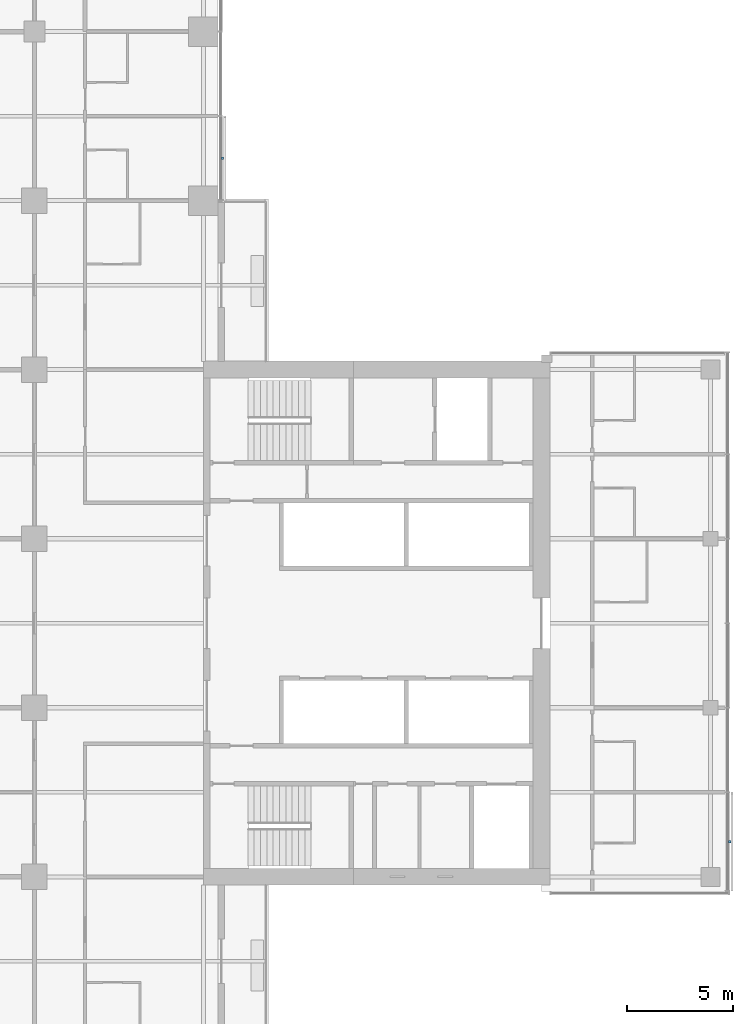
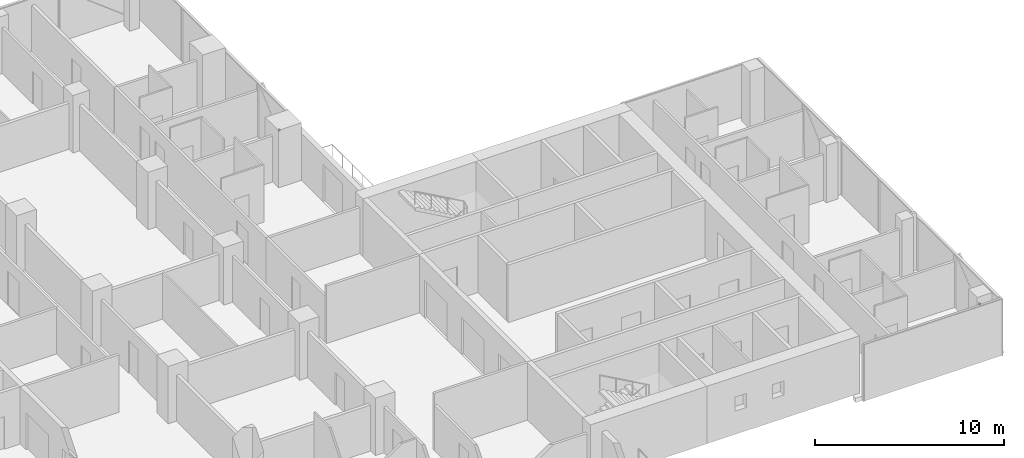
# One storey, part 25 of 27: 2 discrete accessories.
"""IFC4 building model written with IfcOpenShell, lengths in metres."""

from ifc_helpers import new_model, si_unit, direction, frame, origin, origin_2d, place, context, subcontext, project, spatial, rectangle, extrude, material, type_object, element, save


model = new_model("IFC4")

# Units and contexts
model_context = context("Model", 3, precision=1e-05, world=origin(), true_north=direction((0.0, 1.0)))
body_context = subcontext(model_context, "Body", "Model", "MODEL_VIEW")
ifc_project = project(units=[si_unit("LENGTHUNIT", "METRE"), si_unit("AREAUNIT", "SQUARE_METRE"), si_unit("VOLUMEUNIT", "CUBIC_METRE"), si_unit("PLANEANGLEUNIT", "RADIAN"), si_unit("MASSUNIT", "GRAM", prefix="KILO")], contexts=[model_context])

# Site, building, storey
site_placement = place(None, origin())
site = spatial("IfcSite", under=ifc_project, at=site_placement, CompositionType="ELEMENT")
building_placement = place(site_placement, origin())
building = spatial("IfcBuilding", under=site, at=building_placement, Name="Crosswind Convention Tower", CompositionType="ELEMENT")
storey_placement = place(building_placement, frame((0.0, 0.0, 72.0)))
storey = spatial("IfcBuildingStorey", under=building, at=storey_placement, Name="L12", CompositionType="ELEMENT", Elevation=72.0)

# Discrete accessories
ifc_material = material(Name="Stainless steel", Category="steel")
discrete_accessory_type = type_object("IfcDiscreteAccessoryType", Name="BAGUETTE BRACKET BK2", PredefinedType="BRACKET", material=ifc_material)
for number, where, z_axis, x_axis, name in (
    (1, (161.907958984375, 89.666259765625, 1.4775390625), (0.0, 0.0, 1.0), (0.0, 1.0, 0.0), "BK2 baguette bracket"),
    (2, (137.907958984375, 122.0, 1.4775390625), (0.0, 0.0, 1.0), (0.0, 1.0, 0.0), "BK2 baguette bracket"),
):
    element("IfcDiscreteAccessory", number, at=place(storey_placement, frame(where, z_axis=z_axis, x_axis=x_axis)), inside=storey, type_object=discrete_accessory_type, Name=name, PredefinedType="BRACKET", context=body_context, shape_type="SweptSolid", body=[
        extrude(rectangle(XDim=0.1201171875, YDim=0.10009765625, at=origin_2d()), origin(), (0.0, 0.0, 1.0), 0.1201171875),
    ])

save(model, "model.ifc")
